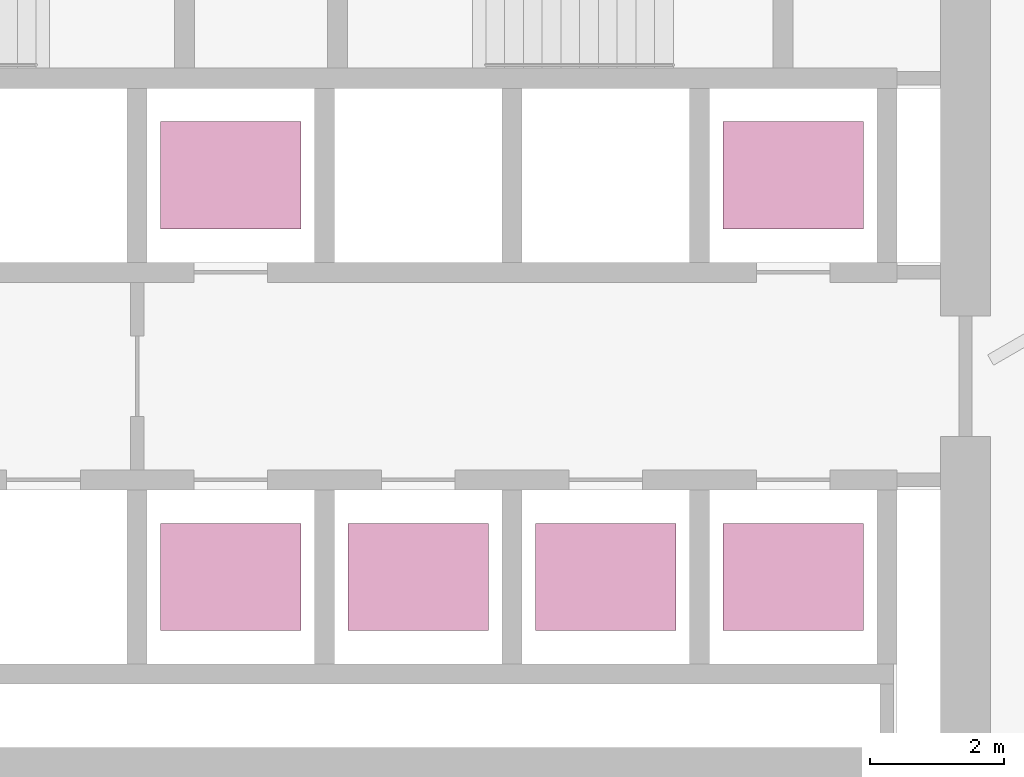
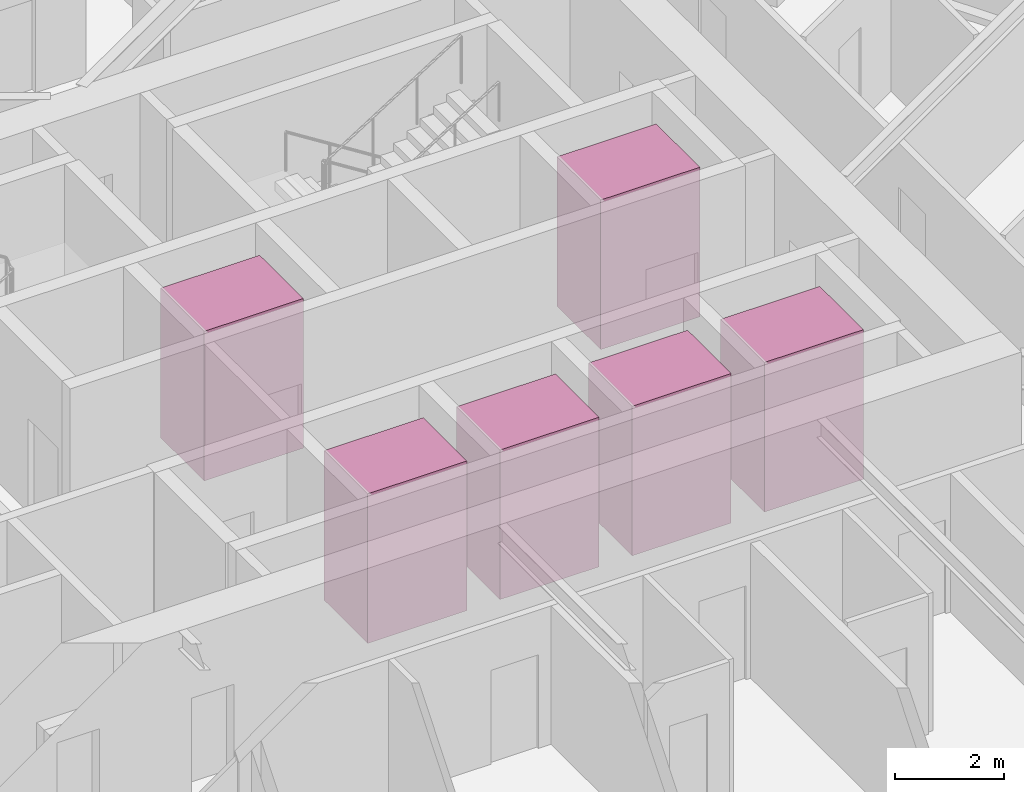
# One storey, part 20 of 20: 6 transport elements.
"""IFC4 building model written with IfcOpenShell, lengths in metres."""

from ifc_helpers import new_model, si_unit, direction, frame, origin, origin_2d, place, context, subcontext, project, spatial, rectangle, extrude, material, type_object, element, save


model = new_model("IFC4")

# Units and contexts
model_context = context("Model", 3, precision=1e-05, world=origin(), true_north=direction((0.0, 1.0)))
body_context = subcontext(model_context, "Body", "Model", "MODEL_VIEW")
ifc_project = project(units=[si_unit("LENGTHUNIT", "METRE"), si_unit("AREAUNIT", "SQUARE_METRE"), si_unit("VOLUMEUNIT", "CUBIC_METRE"), si_unit("PLANEANGLEUNIT", "RADIAN"), si_unit("MASSUNIT", "GRAM", prefix="KILO")], contexts=[model_context])

# Site, building, storey
site_placement = place(None, origin())
site = spatial("IfcSite", under=ifc_project, at=site_placement, CompositionType="ELEMENT")
building_placement = place(site_placement, origin())
building = spatial("IfcBuilding", under=site, at=building_placement, Name="Firuza Gate Tower and Library", CompositionType="ELEMENT")
storey_placement = place(building_placement, frame((0.0, 0.0, 214.300048828125)))
storey = spatial("IfcBuildingStorey", under=building, at=storey_placement, Name="L50", CompositionType="ELEMENT", Elevation=214.300048828125)

# Transport elements
ifc_material = material(Name="Stainless steel and glass", Category="steel")
transport_element_type = type_object("IfcTransportElementType", Name="Mid-rise lift car 2100x1600", PredefinedType="ELEVATOR", material=ifc_material)
for number, where, z_axis, x_axis, name in (
    (1, (74.64990234375, 70.300048828125, 0.0), (0.0, 0.0, 1.0), (1.0, 0.0, 0.0), "Mid-rise lift MR1"),
    (2, (77.449951171875, 70.300048828125, 0.0), (0.0, 0.0, 1.0), (1.0, 0.0, 0.0), "Mid-rise lift MR2"),
    (3, (80.25, 70.300048828125, 0.0), (0.0, 0.0, 1.0), (1.0, 0.0, 0.0), "Mid-rise lift MR3"),
    (4, (74.64990234375, 76.300048828125, 0.0), (0.0, 0.0, 1.0), (1.0, 0.0, 0.0), "Mid-rise lift MR4"),
    (5, (83.050048828125, 70.300048828125, 0.0), (0.0, 0.0, 1.0), (1.0, 0.0, 0.0), "Mid-rise lift MR5"),
    (6, (83.050048828125, 76.300048828125, 0.0), (0.0, 0.0, 1.0), (1.0, 0.0, 0.0), "Mid-rise lift MR6"),
):
    element("IfcTransportElement", number, at=place(storey_placement, frame(where, z_axis=z_axis, x_axis=x_axis)), inside=storey, type_object=transport_element_type, Name=name, PredefinedType="ELEVATOR", context=body_context, shape_type="SweptSolid", body=[
        extrude(rectangle(XDim=2.10009765625, YDim=1.60009765625, at=origin_2d()), origin(), (0.0, 0.0, 1.0), 3.35009765625),
    ])

save(model, "model.ifc")
